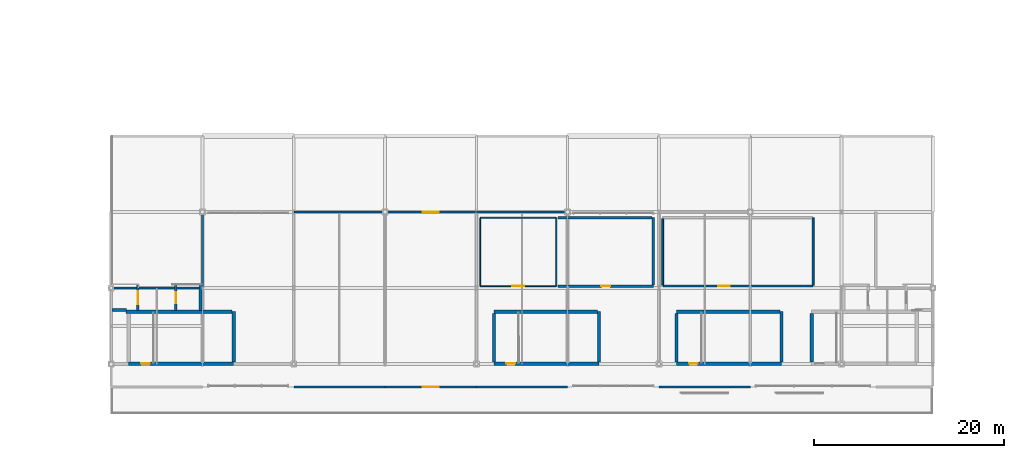
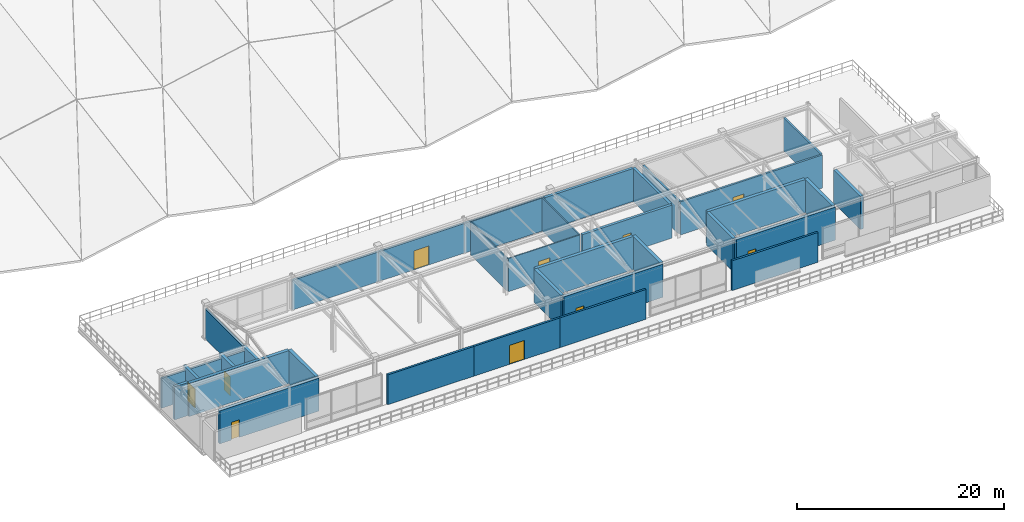
# One storey, part 20 of 26: 35 walls, 10 doors, 10 openings.
"""IFC4 building model written with IfcOpenShell, lengths in metres."""

from ifc_helpers import new_model, si_unit, direction, frame, frame_2d, origin, place, context, subcontext, project, spatial, rectangle, extrude, material, layer, layer_set, type_object, element, fill, save


model = new_model("IFC4")

# Units and contexts
model_context = context("Model", 3, precision=1e-05, world=origin(), true_north=direction((0.0, 1.0)))
body_context = subcontext(model_context, "Body", "Model", "MODEL_VIEW")
ifc_project = project(units=[si_unit("LENGTHUNIT", "METRE"), si_unit("AREAUNIT", "SQUARE_METRE"), si_unit("VOLUMEUNIT", "CUBIC_METRE"), si_unit("PLANEANGLEUNIT", "RADIAN"), si_unit("MASSUNIT", "GRAM", prefix="KILO")], contexts=[model_context])

# Site, building, storey
site_placement = place(None, origin())
site = spatial("IfcSite", under=ifc_project, at=site_placement, CompositionType="ELEMENT")
building_placement = place(site_placement, origin())
building = spatial("IfcBuilding", under=site, at=building_placement, Name="Danafjord Basin Convention Centre", CompositionType="ELEMENT")
storey_placement = place(building_placement, frame((0.0, 0.0, 29.39990234375)))
storey = spatial("IfcBuildingStorey", under=building, at=storey_placement, Name="RF", CompositionType="ELEMENT", Elevation=29.39990234375)

# Wall
ifc_material_1 = material(Name="Concrete C40/50", Category="concrete")
ifc_layer_1 = layer(ifc_material_1, 0.300048828125)
ifc_layer_set_1 = layer_set([ifc_layer_1], Name="Concrete C40/50")
wall_type_1 = type_object("IfcWallType", Name="WALL-CW-CORE300", PredefinedType="SHEAR", material=ifc_layer_set_1)
wall_1_placement = place(storey_placement, frame((9.695068359375, 21.699951171875, 0.0), z_axis=(0.0, 0.0, 1.0), x_axis=(1.0, 0.0, 0.0)))
element("IfcWall", 1, at=wall_1_placement, inside=storey, type_object=wall_type_1, Name="Lift LF-FF01 shaft shear wall", PredefinedType="SHEAR", context=body_context, shape_type="SweptSolid", body=[
    extrude(rectangle(XDim=1.5048828125, YDim=0.300048828125, at=frame_2d((0.75244140625, 0.0))), origin(), (0.0, 0.0, 1.0), 3.900146484375),
])

# Wall, opening, door
wall_2_placement = place(storey_placement, frame((12.39990234375, 21.6650390625, 0.0), z_axis=(0.0, 0.0, 1.0), x_axis=(0.0, 1.0, 0.0)))
wall_2 = element("IfcWall", 2, at=wall_2_placement, inside=storey, type_object=wall_type_1, Name="Lift LF-FF01 shaft shear wall", PredefinedType="SHEAR", context=body_context, shape_type="SweptSolid", body=[
    extrude(rectangle(XDim=2.635009765625, YDim=0.300048828125, at=frame_2d((1.3173828125, 0.0))), origin(), (0.0, 0.0, 1.0), 3.900146484375),
])
opening_1_placement = place(wall_2_placement, frame((0.617919921875, 0.0, 0.0)))
opening_1 = element("IfcOpeningElement", 3, at=opening_1_placement, cuts=wall_2, Name="Opening LD-F01", PredefinedType="OPENING", context=body_context, shape_type="SweptSolid", body=[
    extrude(rectangle(XDim=1.39990234375, YDim=2.260009765625, at=frame_2d((0.699951171875, 1.1298828125))), frame((0.0, 0.159912109375, 0.0), z_axis=(0.0, -1.0, 0.0), x_axis=(1.0, 0.0, 0.0)), (0.0, 0.0, 1.0), 0.320068359375),
])
ifc_material_2 = material(Name="Brushed stainless steel and acoustic laminated glass", Category="steel")
door_type_1 = type_object("IfcDoorType", Name="DOOR-LD-F01", OperationType="DOUBLE_DOOR_SLIDING", PredefinedType="DOOR", material=ifc_material_2)
door_1_placement = place(opening_1_placement, origin())
door_1 = element("IfcDoor", 4, at=door_1_placement, inside=storey, type_object=door_type_1, Name="Lift LF-FF01 RF Landing Door", OperationType="DOUBLE_DOOR_SLIDING", OverallHeight=2.260009765625, OverallWidth=1.39990234375, PredefinedType="DOOR", context=body_context, shape_type="SweptSolid", body=[
    extrude(rectangle(XDim=1.39990234375, YDim=2.260009765625, at=frame_2d((0.699951171875, 1.1298828125))), frame((0.0, 0.02490234375, 0.0), z_axis=(0.0, -1.0, 0.0), x_axis=(1.0, 0.0, 0.0)), (0.0, 0.0, 1.0), 0.050048828125),
])
fill(opening_1, door_1)

# Wall
wall_3_placement = place(storey_placement, frame((19.0, 21.6650390625, 0.0), z_axis=(0.0, 0.0, 1.0), x_axis=(0.0, 1.0, 0.0)))
element("IfcWall", 5, at=wall_3_placement, inside=storey, type_object=wall_type_1, Name="Lift LF-P01 shaft shear wall", PredefinedType="SHEAR", context=body_context, shape_type="SweptSolid", body=[
    extrude(rectangle(XDim=2.635009765625, YDim=0.300048828125, at=frame_2d((1.3173828125, 0.0))), origin(), (0.0, 0.0, 1.0), 3.900146484375),
])

# Wall, opening, door
wall_4_placement = place(storey_placement, frame((16.39990234375, 24.300048828125, 0.0), z_axis=(0.0, 0.0, 1.0), x_axis=(0.0, -1.0, 0.0)))
wall_4 = element("IfcWall", 6, at=wall_4_placement, inside=storey, type_object=wall_type_1, Name="Lift LF-P01 shaft shear wall", PredefinedType="SHEAR", context=body_context, shape_type="SweptSolid", body=[
    extrude(rectangle(XDim=2.635009765625, YDim=0.300048828125, at=frame_2d((1.3173828125, 0.0))), origin(), (0.0, 0.0, 1.0), 3.900146484375),
])
opening_2_placement = place(wall_4_placement, frame((0.718017578125, 0.0, 0.0)))
opening_2 = element("IfcOpeningElement", 7, at=opening_2_placement, cuts=wall_4, Name="Opening LD-P01", PredefinedType="OPENING", context=body_context, shape_type="SweptSolid", body=[
    extrude(rectangle(XDim=1.199951171875, YDim=2.199951171875, at=frame_2d((0.60009765625, 1.10009765625))), frame((0.0, 0.159912109375, 0.0), z_axis=(0.0, -1.0, 0.0), x_axis=(1.0, 0.0, 0.0)), (0.0, 0.0, 1.0), 0.320068359375),
])
door_type_2 = type_object("IfcDoorType", Name="DOOR-LD-P01", OperationType="DOUBLE_DOOR_SLIDING", PredefinedType="DOOR", material=ifc_material_2)
door_2_placement = place(opening_2_placement, origin())
door_2 = element("IfcDoor", 8, at=door_2_placement, inside=storey, type_object=door_type_2, Name="Lift LF-P01 RF Landing Door", OperationType="DOUBLE_DOOR_SLIDING", OverallHeight=2.199951171875, OverallWidth=1.199951171875, PredefinedType="DOOR", context=body_context, shape_type="SweptSolid", body=[
    extrude(rectangle(XDim=1.199951171875, YDim=2.199951171875, at=frame_2d((0.60009765625, 1.10009765625))), frame((0.0, 0.02490234375, 0.0), z_axis=(0.0, -1.0, 0.0), x_axis=(1.0, 0.0, 0.0)), (0.0, 0.0, 1.0), 0.050048828125),
])
fill(opening_2, door_2)

ifc_material_3 = material(Name="Concrete C45/55", Category="concrete")
ifc_layer_2 = layer(ifc_material_3, 0.35009765625)
ifc_layer_set_2 = layer_set([ifc_layer_2], Name="Concrete C45/55")
wall_type_2 = type_object("IfcWallType", Name="WALL-CW-CORE350", PredefinedType="SHEAR", material=ifc_layer_set_2)
wall_5_placement = place(storey_placement, frame((11.449951171875, 16.050048828125, 0.0), z_axis=(0.0, 0.0, 1.0), x_axis=(1.0, 0.0, 0.0)))
wall_5 = element("IfcWall", 9, at=wall_5_placement, inside=storey, type_object=wall_type_2, Name="West Harbour Core Stair 1 core shear wall (south)", PredefinedType="SHEAR", context=body_context, shape_type="SweptSolid", body=[
    extrude(rectangle(XDim=11.0400390625, YDim=0.35009765625, at=frame_2d((5.52001953125, 0.0))), origin(), (0.0, 0.0, 1.0), 3.900146484375),
])
opening_3_placement = place(wall_5_placement, frame((1.31201171875, 0.0, 0.0)))
opening_3 = element("IfcOpeningElement", 10, at=opening_3_placement, cuts=wall_5, Name="Opening FD-S01", PredefinedType="OPENING", context=body_context, shape_type="SweptSolid", body=[
    extrude(rectangle(XDim=0.909912109375, YDim=2.080078125, at=frame_2d((0.455078125, 1.0400390625))), frame((0.0, 0.18505859375, 0.0), z_axis=(0.0, -1.0, 0.0), x_axis=(1.0, 0.0, 0.0)), (0.0, 0.0, 1.0), 0.3701171875),
])
ifc_material_4 = material(Name="Powder-coated steel and Nordic oak", Category="steel")
door_type_3 = type_object("IfcDoorType", Name="DOOR-FD-S01", OperationType="NOTDEFINED", PredefinedType="DOOR", material=ifc_material_4)
door_3_placement = place(opening_3_placement, origin())
door_3 = element("IfcDoor", 11, at=door_3_placement, inside=storey, type_object=door_type_3, Name="West Harbour Core Stair 1 RF Fire Exit Door", OperationType="SINGLE_SWING_RIGHT", OverallHeight=2.080078125, OverallWidth=0.909912109375, PredefinedType="DOOR", context=body_context, shape_type="SweptSolid", body=[
    extrude(rectangle(XDim=0.909912109375, YDim=2.080078125, at=frame_2d((0.455078125, 1.0400390625))), frame((0.0, 0.02490234375, 0.0), z_axis=(0.0, -1.0, 0.0), x_axis=(1.0, 0.0, 0.0)), (0.0, 0.0, 1.0), 0.050048828125),
])
fill(opening_3, door_3)

# Walls
wall_6_placement = place(storey_placement, frame((22.489990234375, 16.2099609375, 0.0), z_axis=(0.0, 0.0, 1.0), x_axis=(0.0, 1.0, 0.0)))
element("IfcWall", 12, at=wall_6_placement, inside=storey, type_object=wall_type_2, Name="West Harbour Core Stair 1 core shear wall (east)", PredefinedType="SHEAR", context=body_context, shape_type="SweptSolid", body=[
    extrude(rectangle(XDim=5.300048828125, YDim=0.35009765625, at=frame_2d((2.64990234375, 0.0))), origin(), (0.0, 0.0, 1.0), 3.900146484375),
])
wall_7_placement = place(storey_placement, frame((22.330078125, 21.510009765625, 0.0), z_axis=(0.0, 0.0, 1.0), x_axis=(-1.0, 0.0, 0.0)))
element("IfcWall", 13, at=wall_7_placement, inside=storey, type_object=wall_type_2, Name="West Harbour Core Stair 1 core shear wall (north)", PredefinedType="SHEAR", context=body_context, shape_type="SweptSolid", body=[
    extrude(rectangle(XDim=11.150146484375, YDim=0.35009765625, at=frame_2d((5.5751953125, 0.0))), origin(), (0.0, 0.0, 1.0), 3.900146484375),
])
wall_8_placement = place(storey_placement, frame((83.25, 21.35009765625, 0.0), z_axis=(0.0, 0.0, 1.0), x_axis=(0.0, -1.0, 0.0)))
element("IfcWall", 14, at=wall_8_placement, inside=storey, type_object=wall_type_2, Name="Central Harbour Core Stair 1 core shear wall (west)", PredefinedType="SHEAR", context=body_context, shape_type="SweptSolid", body=[
    extrude(rectangle(XDim=5.14013671875, YDim=0.35009765625, at=frame_2d((2.570068359375, 0.0))), origin(), (0.0, 0.0, 1.0), 3.900146484375),
])

# Wall, opening, door
wall_9_placement = place(storey_placement, frame((49.85009765625, 16.050048828125, 0.0), z_axis=(0.0, 0.0, 1.0), x_axis=(1.0, 0.0, 0.0)))
wall_9 = element("IfcWall", 15, at=wall_9_placement, inside=storey, type_object=wall_type_2, Name="Mid-Arc Meeting Core Stair 1 core shear wall (south)", PredefinedType="SHEAR", context=body_context, shape_type="SweptSolid", body=[
    extrude(rectangle(XDim=11.039794921875, YDim=0.35009765625, at=frame_2d((5.52001953125, 0.0))), origin(), (0.0, 0.0, 1.0), 3.900146484375),
])
opening_4_placement = place(wall_9_placement, frame((1.31201171875, 0.0, 0.0)))
opening_4 = element("IfcOpeningElement", 16, at=opening_4_placement, cuts=wall_9, Name="Opening FD-S01", PredefinedType="OPENING", context=body_context, shape_type="SweptSolid", body=[
    extrude(rectangle(XDim=0.909912109375, YDim=2.080078125, at=frame_2d((0.455078125, 1.0400390625))), frame((0.0, 0.18505859375, 0.0), z_axis=(0.0, -1.0, 0.0), x_axis=(1.0, 0.0, 0.0)), (0.0, 0.0, 1.0), 0.3701171875),
])
door_4_placement = place(opening_4_placement, origin())
door_4 = element("IfcDoor", 17, at=door_4_placement, inside=storey, type_object=door_type_3, Name="Mid-Arc Meeting Core Stair 1 RF Fire Exit Door", OperationType="SINGLE_SWING_RIGHT", OverallHeight=2.080078125, OverallWidth=0.909912109375, PredefinedType="DOOR", context=body_context, shape_type="SweptSolid", body=[
    extrude(rectangle(XDim=0.909912109375, YDim=2.080078125, at=frame_2d((0.455078125, 1.0400390625))), frame((0.0, 0.02490234375, 0.0), z_axis=(0.0, -1.0, 0.0), x_axis=(1.0, 0.0, 0.0)), (0.0, 0.0, 1.0), 0.050048828125),
])
fill(opening_4, door_4)

# Walls
wall_10_placement = place(storey_placement, frame((60.889892578125, 16.2099609375, 0.0), z_axis=(0.0, 0.0, 1.0), x_axis=(0.0, 1.0, 0.0)))
element("IfcWall", 18, at=wall_10_placement, inside=storey, type_object=wall_type_2, Name="Mid-Arc Meeting Core Stair 1 core shear wall (east)", PredefinedType="SHEAR", context=body_context, shape_type="SweptSolid", body=[
    extrude(rectangle(XDim=5.300048828125, YDim=0.35009765625, at=frame_2d((2.64990234375, 0.0))), origin(), (0.0, 0.0, 1.0), 3.900146484375),
])
wall_11_placement = place(storey_placement, frame((60.72998046875, 21.510009765625, 0.0), z_axis=(0.0, 0.0, 1.0), x_axis=(-1.0, 0.0, 0.0)))
element("IfcWall", 19, at=wall_11_placement, inside=storey, type_object=wall_type_2, Name="Mid-Arc Meeting Core Stair 1 core shear wall (north)", PredefinedType="SHEAR", context=body_context, shape_type="SweptSolid", body=[
    extrude(rectangle(XDim=10.8798828125, YDim=0.35009765625, at=frame_2d((5.43994140625, 0.0))), origin(), (0.0, 0.0, 1.0), 3.900146484375),
])
wall_12_placement = place(storey_placement, frame((49.85009765625, 21.35009765625, 0.0), z_axis=(0.0, 0.0, 1.0), x_axis=(0.0, -1.0, 0.0)))
element("IfcWall", 20, at=wall_12_placement, inside=storey, type_object=wall_type_2, Name="Mid-Arc Meeting Core Stair 1 core shear wall (west)", PredefinedType="SHEAR", context=body_context, shape_type="SweptSolid", body=[
    extrude(rectangle(XDim=5.14013671875, YDim=0.35009765625, at=frame_2d((2.570068359375, 0.0))), origin(), (0.0, 0.0, 1.0), 3.900146484375),
])

# Wall, opening, door
wall_13_placement = place(storey_placement, frame((69.050048828125, 16.050048828125, 0.0), z_axis=(0.0, 0.0, 1.0), x_axis=(1.0, 0.0, 0.0)))
wall_13 = element("IfcWall", 21, at=wall_13_placement, inside=storey, type_object=wall_type_2, Name="Mid-Arc Escape Stair 2 core shear wall (south)", PredefinedType="SHEAR", context=body_context, shape_type="SweptSolid", body=[
    extrude(rectangle(XDim=11.0400390625, YDim=0.35009765625, at=frame_2d((5.52001953125, 0.0))), origin(), (0.0, 0.0, 1.0), 3.900146484375),
])
opening_5_placement = place(wall_13_placement, frame((1.31201171875, 0.0, 0.0)))
opening_5 = element("IfcOpeningElement", 22, at=opening_5_placement, cuts=wall_13, Name="Opening FD-S01", PredefinedType="OPENING", context=body_context, shape_type="SweptSolid", body=[
    extrude(rectangle(XDim=0.909912109375, YDim=2.080078125, at=frame_2d((0.455078125, 1.0400390625))), frame((0.0, 0.18505859375, 0.0), z_axis=(0.0, -1.0, 0.0), x_axis=(1.0, 0.0, 0.0)), (0.0, 0.0, 1.0), 0.3701171875),
])
door_5_placement = place(opening_5_placement, origin())
door_5 = element("IfcDoor", 23, at=door_5_placement, inside=storey, type_object=door_type_3, Name="Mid-Arc Escape Stair 2 RF Fire Exit Door", OperationType="SINGLE_SWING_LEFT", OverallHeight=2.080078125, OverallWidth=0.909912109375, PredefinedType="DOOR", context=body_context, shape_type="SweptSolid", body=[
    extrude(rectangle(XDim=0.909912109375, YDim=2.080078125, at=frame_2d((0.455078125, 1.0400390625))), frame((0.0, 0.02490234375, 0.0), z_axis=(0.0, -1.0, 0.0), x_axis=(1.0, 0.0, 0.0)), (0.0, 0.0, 1.0), 0.050048828125),
])
fill(opening_5, door_5)

# Walls
wall_14_placement = place(storey_placement, frame((80.090087890625, 16.2099609375, 0.0), z_axis=(0.0, 0.0, 1.0), x_axis=(0.0, 1.0, 0.0)))
element("IfcWall", 24, at=wall_14_placement, inside=storey, type_object=wall_type_2, Name="Mid-Arc Escape Stair 2 core shear wall (east)", PredefinedType="SHEAR", context=body_context, shape_type="SweptSolid", body=[
    extrude(rectangle(XDim=5.300048828125, YDim=0.35009765625, at=frame_2d((2.64990234375, 0.0))), origin(), (0.0, 0.0, 1.0), 3.900146484375),
])
wall_15_placement = place(storey_placement, frame((79.929931640625, 21.510009765625, 0.0), z_axis=(0.0, 0.0, 1.0), x_axis=(-1.0, 0.0, 0.0)))
element("IfcWall", 25, at=wall_15_placement, inside=storey, type_object=wall_type_2, Name="Mid-Arc Escape Stair 2 core shear wall (north)", PredefinedType="SHEAR", context=body_context, shape_type="SweptSolid", body=[
    extrude(rectangle(XDim=10.8798828125, YDim=0.35009765625, at=frame_2d((5.43994140625, 0.0))), origin(), (0.0, 0.0, 1.0), 3.900146484375),
])
wall_16_placement = place(storey_placement, frame((69.050048828125, 21.35009765625, 0.0), z_axis=(0.0, 0.0, 1.0), x_axis=(0.0, -1.0, 0.0)))
element("IfcWall", 26, at=wall_16_placement, inside=storey, type_object=wall_type_2, Name="Mid-Arc Escape Stair 2 core shear wall (west)", PredefinedType="SHEAR", context=body_context, shape_type="SweptSolid", body=[
    extrude(rectangle(XDim=5.14013671875, YDim=0.35009765625, at=frame_2d((2.570068359375, 0.0))), origin(), (0.0, 0.0, 1.0), 3.900146484375),
])
ifc_material_5 = material(Name="Concrete C35/45", Category="concrete")
ifc_layer_3 = layer(ifc_material_5, 0.22998046875)
ifc_layer_set_3 = layer_set([ifc_layer_3], Name="Concrete C35/45")
wall_type_3 = type_object("IfcWallType", Name="WALL-EW-STD230", PredefinedType="STANDARD", material=ifc_layer_set_3)
for number, where, z_axis, x_axis, name in (
    (27, (28.800048828125, 13.60009765625, 0.0), (0.0, 0.0, 1.0), (1.0, 0.0, 0.0), "Observatory pavilion south facade wall"),
    (28, (28.800048828125, 32.0, 0.0), (0.0, 0.0, 1.0), (1.0, 0.0, 0.0), "Observatory pavilion north facade wall"),
):
    element("IfcWall", number, at=place(storey_placement, frame(where, z_axis=z_axis, x_axis=x_axis)), inside=storey, type_object=wall_type_3, Name=name, PredefinedType="STANDARD", context=body_context, shape_type="SweptSolid", body=[
        extrude(rectangle(XDim=9.599853515625, YDim=0.22998046875, at=frame_2d((4.7998046875, 0.0))), origin(), (0.0, 0.0, 1.0), 3.510009765625),
    ])

# Wall, opening, door
wall_17_placement = place(storey_placement, frame((38.39990234375, 13.60009765625, 0.0), z_axis=(0.0, 0.0, 1.0), x_axis=(1.0, 0.0, 0.0)))
wall_17 = element("IfcWall", 29, at=wall_17_placement, inside=storey, type_object=wall_type_3, Name="Observatory pavilion south facade wall", PredefinedType="STANDARD", context=body_context, shape_type="SweptSolid", body=[
    extrude(rectangle(XDim=9.60009765625, YDim=0.22998046875, at=frame_2d((4.800048828125, 0.0))), origin(), (0.0, 0.0, 1.0), 3.510009765625),
])
opening_6_placement = place(wall_17_placement, frame((3.969970703125, 0.0, 0.0)))
opening_6 = element("IfcOpeningElement", 30, at=opening_6_placement, cuts=wall_17, Name="Opening ED-05", PredefinedType="OPENING", context=body_context, shape_type="SweptSolid", body=[
    extrude(rectangle(XDim=1.659912109375, YDim=2.239990234375, at=frame_2d((0.830078125, 1.1201171875))), frame((0.0, 0.125, 0.0), z_axis=(0.0, -1.0, 0.0), x_axis=(1.0, 0.0, 0.0)), (0.0, 0.0, 1.0), 0.25),
])
ifc_material_6 = material(Name="Thermally broken anodised aluminium and steel", Category="steel")
door_type_4 = type_object("IfcDoorType", Name="DOOR-ED-05", OperationType="DOUBLE_DOOR_SINGLE_SWING", PredefinedType="DOOR", material=ifc_material_6)
door_6_placement = place(opening_6_placement, origin())
door_6 = element("IfcDoor", 31, at=door_6_placement, inside=storey, type_object=door_type_4, Name="Observatory South Roof Terrace Door", OperationType="DOUBLE_DOOR_SINGLE_SWING", OverallHeight=2.239990234375, OverallWidth=1.659912109375, PredefinedType="DOOR", context=body_context, shape_type="SweptSolid", body=[
    extrude(rectangle(XDim=1.659912109375, YDim=2.239990234375, at=frame_2d((0.830078125, 1.1201171875))), frame((0.0, 0.02490234375, 0.0), z_axis=(0.0, -1.0, 0.0), x_axis=(1.0, 0.0, 0.0)), (0.0, 0.0, 1.0), 0.050048828125),
])
fill(opening_6, door_6)

wall_18_placement = place(storey_placement, frame((38.39990234375, 32.0, 0.0), z_axis=(0.0, 0.0, 1.0), x_axis=(1.0, 0.0, 0.0)))
wall_18 = element("IfcWall", 32, at=wall_18_placement, inside=storey, type_object=wall_type_3, Name="Observatory pavilion north facade wall", PredefinedType="STANDARD", context=body_context, shape_type="SweptSolid", body=[
    extrude(rectangle(XDim=9.60009765625, YDim=0.22998046875, at=frame_2d((4.800048828125, 0.0))), origin(), (0.0, 0.0, 1.0), 3.510009765625),
])
opening_7_placement = place(wall_18_placement, frame((3.969970703125, 0.0, 0.0)))
opening_7 = element("IfcOpeningElement", 33, at=opening_7_placement, cuts=wall_18, Name="Opening ED-05", PredefinedType="OPENING", context=body_context, shape_type="SweptSolid", body=[
    extrude(rectangle(XDim=1.659912109375, YDim=2.239990234375, at=frame_2d((0.830078125, 1.1201171875))), frame((0.0, 0.125, 0.0), z_axis=(0.0, -1.0, 0.0), x_axis=(1.0, 0.0, 0.0)), (0.0, 0.0, 1.0), 0.25),
])
door_7_placement = place(opening_7_placement, origin())
door_7 = element("IfcDoor", 34, at=door_7_placement, inside=storey, type_object=door_type_4, Name="Observatory North Roof Terrace Door", OperationType="DOUBLE_DOOR_SINGLE_SWING", OverallHeight=2.239990234375, OverallWidth=1.659912109375, PredefinedType="DOOR", context=body_context, shape_type="SweptSolid", body=[
    extrude(rectangle(XDim=1.659912109375, YDim=2.239990234375, at=frame_2d((0.830078125, 1.1201171875))), frame((0.0, 0.02490234375, 0.0), z_axis=(0.0, -1.0, 0.0), x_axis=(1.0, 0.0, 0.0)), (0.0, 0.0, 1.0), 0.050048828125),
])
fill(opening_7, door_7)

# Walls
for number, where, z_axis, x_axis, name in (
    (35, (48.0, 13.60009765625, 0.0), (0.0, 0.0, 1.0), (1.0, 0.0, 0.0), "Observatory pavilion south facade wall"),
    (36, (48.0, 32.0, 0.0), (0.0, 0.0, 1.0), (1.0, 0.0, 0.0), "Observatory pavilion north facade wall"),
    (37, (67.199951171875, 13.60009765625, 0.0), (0.0, 0.0, 1.0), (1.0, 0.0, 0.0), "Observatory pavilion south facade wall"),
):
    element("IfcWall", number, at=place(storey_placement, frame(where, z_axis=z_axis, x_axis=x_axis)), inside=storey, type_object=wall_type_3, Name=name, PredefinedType="STANDARD", context=body_context, shape_type="SweptSolid", body=[
        extrude(rectangle(XDim=9.60009765625, YDim=0.22998046875, at=frame_2d((4.800048828125, 0.0))), origin(), (0.0, 0.0, 1.0), 3.510009765625),
    ])
wall_19_placement = place(storey_placement, frame((9.60009765625, 24.0, 0.0), z_axis=(0.0, 0.0, 1.0), x_axis=(1.0, 0.0, 0.0)))
element("IfcWall", 38, at=wall_19_placement, inside=storey, type_object=wall_type_3, Name="Observatory pavilion end wall", PredefinedType="STANDARD", context=body_context, shape_type="SweptSolid", body=[
    extrude(rectangle(XDim=9.599853515625, YDim=0.22998046875, at=frame_2d((4.7998046875, 0.0))), origin(), (0.0, 0.0, 1.0), 3.510009765625),
])
wall_20_placement = place(storey_placement, frame((19.199951171875, 24.118896484375, 0.0), z_axis=(0.0, 0.0, 1.0), x_axis=(0.0, 1.0, 0.0)))
element("IfcWall", 39, at=wall_20_placement, inside=storey, type_object=wall_type_3, Name="Observatory pavilion end wall", PredefinedType="STANDARD", context=body_context, shape_type="SweptSolid", body=[
    extrude(rectangle(XDim=7.881103515625, YDim=0.22998046875, at=frame_2d((3.9404296875, 0.0))), origin(), (0.0, 0.0, 1.0), 3.510009765625),
])

# Wall, opening, door
ifc_material_7 = material(Name="Sanitary service-chase stud wall")
ifc_layer_4 = layer(ifc_material_7, 0.284912109375)
ifc_layer_set_4 = layer_set([ifc_layer_4], Name="Sanitary service-chase stud wall")
wall_type_4 = type_object("IfcWallType", Name="WALL-PT-PLB285", PredefinedType="PLUMBINGWALL", material=ifc_layer_set_4)
wall_21_placement = place(storey_placement, frame((56.60009765625, 24.199951171875, 0.0), z_axis=(0.0, 0.0, 1.0), x_axis=(1.0, 0.0, 0.0)))
wall_21 = element("IfcWall", 40, at=wall_21_placement, inside=storey, type_object=wall_type_4, Name="Observatory Accessible WC south partition", PredefinedType="PLUMBINGWALL", context=body_context, shape_type="SweptSolid", body=[
    extrude(rectangle(XDim=10.0, YDim=0.284912109375, at=frame_2d((5.0, 0.0))), origin(), (0.0, 0.0, 1.0), 3.900146484375),
])
opening_8_placement = place(wall_21_placement, frame((4.534912109375, 0.0, 0.0)))
opening_8 = element("IfcOpeningElement", 41, at=opening_8_placement, cuts=wall_21, Name="Opening FD-S21", PredefinedType="OPENING", context=body_context, shape_type="SweptSolid", body=[
    extrude(rectangle(XDim=0.929931640625, YDim=2.219970703125, at=frame_2d((0.46484375, 1.10986328125))), frame((0.0, 0.15234375, 0.0), z_axis=(0.0, -1.0, 0.0), x_axis=(1.0, 0.0, 0.0)), (0.0, 0.0, 1.0), 0.304931640625),
])
door_type_5 = type_object("IfcDoorType", Name="DOOR-FD-S21", OperationType="NOTDEFINED", PredefinedType="DOOR", material=ifc_material_4)
door_8_placement = place(opening_8_placement, origin())
door_8 = element("IfcDoor", 42, at=door_8_placement, inside=storey, type_object=door_type_5, Name="Observatory Accessible WC Entrance Door", OperationType="SINGLE_SWING_RIGHT", OverallHeight=2.219970703125, OverallWidth=0.929931640625, PredefinedType="DOOR", context=body_context, shape_type="SweptSolid", body=[
    extrude(rectangle(XDim=0.929931640625, YDim=2.219970703125, at=frame_2d((0.46484375, 1.10986328125))), frame((0.0, 0.02490234375, 0.0), z_axis=(0.0, -1.0, 0.0), x_axis=(1.0, 0.0, 0.0)), (0.0, 0.0, 1.0), 0.050048828125),
])
fill(opening_8, door_8)

# Walls
wall_22_placement = place(storey_placement, frame((66.60009765625, 24.346435546875, 0.0), z_axis=(0.0, 0.0, 1.0), x_axis=(0.0, 1.0, 0.0)))
element("IfcWall", 43, at=wall_22_placement, inside=storey, type_object=wall_type_4, Name="Observatory Accessible WC east partition", PredefinedType="PLUMBINGWALL", context=body_context, shape_type="SweptSolid", body=[
    extrude(rectangle(XDim=7.053466796875, YDim=0.284912109375, at=frame_2d((3.52685546875, 0.0))), origin(), (0.0, 0.0, 1.0), 3.900146484375),
])
wall_23_placement = place(storey_placement, frame((66.45361328125, 31.39990234375, 0.0), z_axis=(0.0, 0.0, 1.0), x_axis=(-1.0, 0.0, 0.0)))
element("IfcWall", 44, at=wall_23_placement, inside=storey, type_object=wall_type_4, Name="Observatory Accessible WC north partition", PredefinedType="PLUMBINGWALL", context=body_context, shape_type="SweptSolid", body=[
    extrude(rectangle(XDim=9.853515625, YDim=0.284912109375, at=frame_2d((4.9267578125, 0.0))), origin(), (0.0, 0.0, 1.0), 3.900146484375),
])

# Wall, opening, door
ifc_material_8 = material(Name="Moisture-resistant gypsum stud partition")
ifc_layer_5 = layer(ifc_material_8, 0.1201171875)
ifc_layer_set_5 = layer_set([ifc_layer_5], Name="Moisture-resistant gypsum stud partition")
wall_type_5 = type_object("IfcWallType", Name="WALL-PT-ST120", PredefinedType="PARTITIONING", material=ifc_layer_set_5)
wall_24_placement = place(storey_placement, frame((48.39990234375, 24.199951171875, 0.0), z_axis=(0.0, 0.0, 1.0), x_axis=(1.0, 0.0, 0.0)))
wall_24 = element("IfcWall", 45, at=wall_24_placement, inside=storey, type_object=wall_type_5, Name="Observatory Unisex Toilet south partition", PredefinedType="PARTITIONING", context=body_context, shape_type="SweptSolid", body=[
    extrude(rectangle(XDim=8.0, YDim=0.1201171875, at=frame_2d((4.0, 0.0))), origin(), (0.0, 0.0, 1.0), 3.900146484375),
])
opening_9_placement = place(wall_24_placement, frame((3.375, 0.0, 0.0)))
opening_9 = element("IfcOpeningElement", 46, at=opening_9_placement, cuts=wall_24, Name="Opening FD-S20", PredefinedType="OPENING", context=body_context, shape_type="SweptSolid", body=[
    extrude(rectangle(XDim=1.25, YDim=2.3798828125, at=frame_2d((0.625, 1.18994140625))), frame((0.0, 0.070068359375, 0.0), z_axis=(0.0, -1.0, 0.0), x_axis=(1.0, 0.0, 0.0)), (0.0, 0.0, 1.0), 0.14013671875),
])
door_type_6 = type_object("IfcDoorType", Name="DOOR-FD-S20", OperationType="NOTDEFINED", PredefinedType="DOOR", material=ifc_material_4)
door_9_placement = place(opening_9_placement, origin())
door_9 = element("IfcDoor", 47, at=door_9_placement, inside=storey, type_object=door_type_6, Name="Observatory Unisex Toilet Entrance Door", OperationType="SINGLE_SWING_LEFT", OverallHeight=2.3798828125, OverallWidth=1.25, PredefinedType="DOOR", context=body_context, shape_type="SweptSolid", body=[
    extrude(rectangle(XDim=1.25, YDim=2.3798828125, at=frame_2d((0.625, 1.18994140625))), frame((0.0, 0.02490234375, 0.0), z_axis=(0.0, -1.0, 0.0), x_axis=(1.0, 0.0, 0.0)), (0.0, 0.0, 1.0), 0.050048828125),
])
fill(opening_9, door_9)

# Walls
wall_25_placement = place(storey_placement, frame((56.39990234375, 24.263916015625, 0.0), z_axis=(0.0, 0.0, 1.0), x_axis=(0.0, 1.0, 0.0)))
element("IfcWall", 48, at=wall_25_placement, inside=storey, type_object=wall_type_5, Name="Observatory Unisex Toilet east partition", PredefinedType="PARTITIONING", context=body_context, shape_type="SweptSolid", body=[
    extrude(rectangle(XDim=7.135986328125, YDim=0.1201171875, at=frame_2d((3.56787109375, 0.0))), origin(), (0.0, 0.0, 1.0), 3.900146484375),
])
wall_26_placement = place(storey_placement, frame((56.3359375, 31.39990234375, 0.0), z_axis=(0.0, 0.0, 1.0), x_axis=(-1.0, 0.0, 0.0)))
element("IfcWall", 49, at=wall_26_placement, inside=storey, type_object=wall_type_5, Name="Observatory Unisex Toilet north partition", PredefinedType="PARTITIONING", context=body_context, shape_type="SweptSolid", body=[
    extrude(rectangle(XDim=7.93603515625, YDim=0.1201171875, at=frame_2d((3.968017578125, 0.0))), origin(), (0.0, 0.0, 1.0), 3.900146484375),
])
wall_27_placement = place(storey_placement, frame((48.39990234375, 31.3359375, 0.0), z_axis=(0.0, 0.0, 1.0), x_axis=(0.0, -1.0, 0.0)))
element("IfcWall", 50, at=wall_27_placement, inside=storey, type_object=wall_type_5, Name="Observatory Unisex Toilet west partition", PredefinedType="PARTITIONING", context=body_context, shape_type="SweptSolid", body=[
    extrude(rectangle(XDim=7.072021484375, YDim=0.1201171875, at=frame_2d((3.5361328125, 0.0))), origin(), (0.0, 0.0, 1.0), 3.900146484375),
])

# Wall, opening, door
ifc_layer_6 = layer(ifc_material_5, 0.205078125)
ifc_layer_set_6 = layer_set([ifc_layer_6], Name="Concrete C35/45")
wall_type_6 = type_object("IfcWallType", Name="WALL-W-COMP205", PredefinedType="SOLIDWALL", material=ifc_layer_set_6)
wall_28_placement = place(storey_placement, frame((67.60009765625, 24.199951171875, 0.0), z_axis=(0.0, 0.0, 1.0), x_axis=(1.0, 0.0, 0.0)))
wall_28 = element("IfcWall", 51, at=wall_28_placement, inside=storey, type_object=wall_type_6, Name="Crown Energy-Recovery AHU Plant south partition", PredefinedType="SOLIDWALL", context=body_context, shape_type="SweptSolid", body=[
    extrude(rectangle(XDim=15.7998046875, YDim=0.205078125, at=frame_2d((7.89990234375, 0.0))), origin(), (0.0, 0.0, 1.0), 3.900146484375),
])
opening_10_placement = place(wall_28_placement, frame((5.83203125, 0.0, 0.0)))
opening_10 = element("IfcOpeningElement", 52, at=opening_10_placement, cuts=wall_28, Name="Opening FD-S19", PredefinedType="OPENING", context=body_context, shape_type="SweptSolid", body=[
    extrude(rectangle(XDim=1.219970703125, YDim=2.360107421875, at=frame_2d((0.60986328125, 1.18017578125))), frame((0.0, 0.112548828125, 0.0), z_axis=(0.0, -1.0, 0.0), x_axis=(1.0, 0.0, 0.0)), (0.0, 0.0, 1.0), 0.22509765625),
])
door_type_7 = type_object("IfcDoorType", Name="DOOR-FD-S19", OperationType="NOTDEFINED", PredefinedType="DOOR", material=ifc_material_4)
door_10_placement = place(opening_10_placement, origin())
door_10 = element("IfcDoor", 53, at=door_10_placement, inside=storey, type_object=door_type_7, Name="Crown Energy-Recovery AHU Plant Entrance Door", OperationType="SINGLE_SWING_RIGHT", OverallHeight=2.360107421875, OverallWidth=1.219970703125, PredefinedType="DOOR", context=body_context, shape_type="SweptSolid", body=[
    extrude(rectangle(XDim=1.219970703125, YDim=2.360107421875, at=frame_2d((0.60986328125, 1.18017578125))), frame((0.0, 0.02490234375, 0.0), z_axis=(0.0, -1.0, 0.0), x_axis=(1.0, 0.0, 0.0)), (0.0, 0.0, 1.0), 0.050048828125),
])
fill(opening_10, door_10)

# Walls
wall_29_placement = place(storey_placement, frame((83.39990234375, 24.306396484375, 0.0), z_axis=(0.0, 0.0, 1.0), x_axis=(0.0, 1.0, 0.0)))
element("IfcWall", 54, at=wall_29_placement, inside=storey, type_object=wall_type_6, Name="Crown Energy-Recovery AHU Plant east partition", PredefinedType="SOLIDWALL", context=body_context, shape_type="SweptSolid", body=[
    extrude(rectangle(XDim=7.093505859375, YDim=0.205078125, at=frame_2d((3.546875, 0.0))), origin(), (0.0, 0.0, 1.0), 3.900146484375),
])
wall_30_placement = place(storey_placement, frame((67.60009765625, 31.29345703125, 0.0), z_axis=(0.0, 0.0, 1.0), x_axis=(0.0, -1.0, 0.0)))
element("IfcWall", 55, at=wall_30_placement, inside=storey, type_object=wall_type_6, Name="Crown Energy-Recovery AHU Plant west partition", PredefinedType="SOLIDWALL", context=body_context, shape_type="SweptSolid", body=[
    extrude(rectangle(XDim=6.987060546875, YDim=0.205078125, at=frame_2d((3.49365234375, 0.0))), origin(), (0.0, 0.0, 1.0), 3.900146484375),
])

save(model, "model.ifc")
